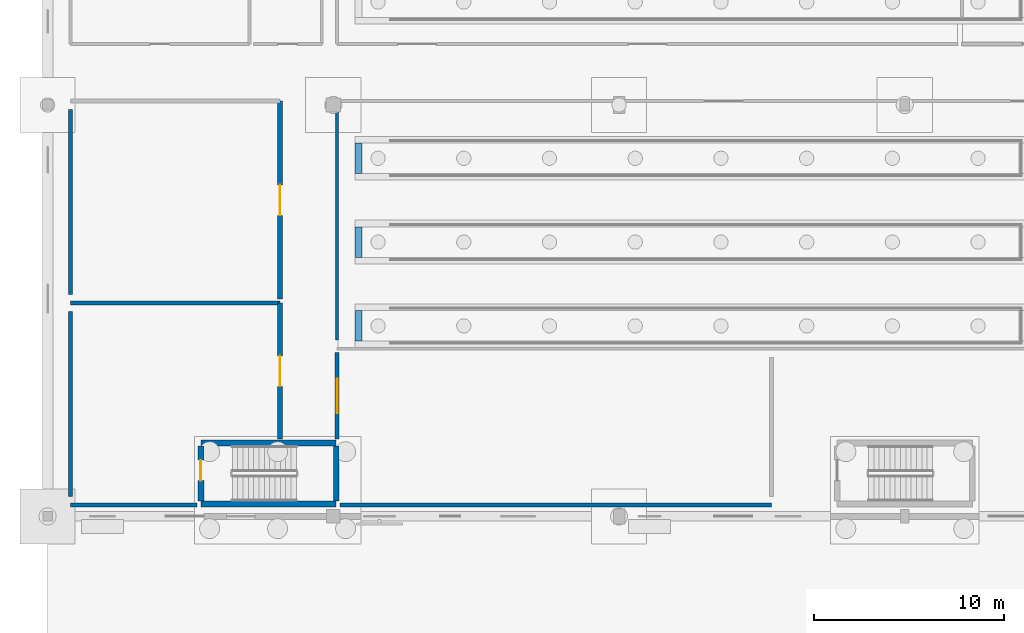
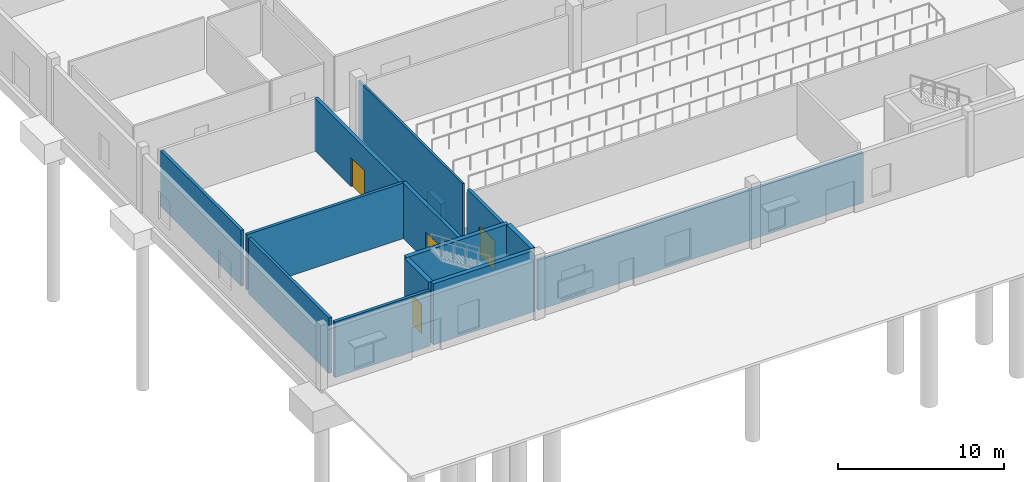
# One storey, part 247 of 285: 16 walls, 4 doors, 4 openings.
"""IFC4 building model written with IfcOpenShell, lengths in metres."""

import ifcopenshell
import ifcopenshell.guid

model = None  # the IFC model being written
_history = None  # IfcOwnerHistory: only IFC2X3 demands one
_inside = {}  # id of a spatial element -> (the spatial element, [elements in it])
_under = {}  # id of a project, library or spatial element -> (it, [spatial elements below it])
_declared = {}  # id of a project -> (the project, [libraries it declares])
_typed = {}  # id of a type object -> (the type object, [elements of that type])
_made_of = {}  # id of a material, layer set ... -> (it, [elements and type objects made of it])


def new_model(schema):
    """Start an empty IFC model of exactly this schema.

    Asked for "IFC4X3", IfcOpenShell would pick the latest addendum, in which some entities
    have other attributes; the version numbers below select the first issue.
    IFC2X3 requires an IfcOwnerHistory on every rooted entity: one is made here for all.
    """
    global model, _history
    if schema == "IFC4X3":
        model = ifcopenshell.file(schema_version=(4, 3, 0, 0))
    else:
        model = ifcopenshell.file(schema=schema)
    _inside.clear()
    _under.clear()
    _declared.clear()
    _typed.clear()
    _made_of.clear()
    _history = None
    if model.schema == "IFC2X3":
        org = make("IfcOrganization", Name="unknown")
        user = make(
            "IfcPersonAndOrganization",
            ThePerson=make("IfcPerson", FamilyName="unknown"),
            TheOrganization=org,
        )
        app = make(
            "IfcApplication",
            ApplicationDeveloper=org,
            Version="unknown",
            ApplicationFullName="unknown",
            ApplicationIdentifier="unknown",
        )
        _history = make(
            "IfcOwnerHistory",
            OwningUser=user,
            OwningApplication=app,
            ChangeAction="ADDED",
            CreationDate=0,
        )
    return model


def make(cls, **values):
    """One entity of the class cls with the attributes given. An attribute that is None is left unset."""
    return model.create_entity(
        cls, **{name: value for name, value in values.items() if value is not None}
    )


def rooted(cls, **values):
    """An entity with a GlobalId (a new one), such as an element, a storey or a relation."""
    return make(cls, GlobalId=ifcopenshell.guid.new(), OwnerHistory=_history, **values)


def si_unit(unit_type, name, prefix=None):
    """IfcSIUnit, for example si_unit("LENGTHUNIT", "METRE", prefix="MILLI")."""
    return make("IfcSIUnit", UnitType=unit_type, Prefix=prefix, Name=name)


def assignment(units):
    """IfcUnitAssignment: the units of a project."""
    return None if units is None else make("IfcUnitAssignment", Units=units)


def point(xyz):
    """IfcCartesianPoint."""
    return None if xyz is None else make("IfcCartesianPoint", Coordinates=xyz)


def direction(xyz):
    """IfcDirection."""
    return None if xyz is None else make("IfcDirection", DirectionRatios=xyz)


def frame(location, z_axis=None, x_axis=None):
    """IfcAxis2Placement3D, a coordinate frame: its origin and axes. An axis left out is left unset."""
    return make(
        "IfcAxis2Placement3D",
        Location=point(location),
        Axis=direction(z_axis),
        RefDirection=direction(x_axis),
    )


def frame_2d(location, x_axis=None):
    """IfcAxis2Placement2D, a coordinate frame in the plane: its origin and x axis."""
    return make(
        "IfcAxis2Placement2D", Location=point(location), RefDirection=direction(x_axis)
    )


def origin():
    """The frame at (0, 0, 0) with its axes left unset."""
    return frame((0.0, 0.0, 0.0))


def place(relative_to, where):
    """IfcLocalPlacement: puts the frame where relative to a parent placement (None: the world)."""
    return make(
        "IfcLocalPlacement", PlacementRelTo=relative_to, RelativePlacement=where
    )


def context(
    kind, dimensions, precision=None, world=None, true_north=None, identifier=None
):
    """IfcGeometricRepresentationContext, for example the 3D "Model" context."""
    return make(
        "IfcGeometricRepresentationContext",
        ContextIdentifier=identifier,
        ContextType=kind,
        CoordinateSpaceDimension=dimensions,
        Precision=precision,
        WorldCoordinateSystem=world,
        TrueNorth=true_north,
    )


def subcontext(parent, identifier, kind, view, scale=None):
    """IfcGeometricRepresentationSubContext, for example "Body" below "Model"."""
    return make(
        "IfcGeometricRepresentationSubContext",
        ContextIdentifier=identifier,
        ContextType=kind,
        ParentContext=parent,
        TargetScale=scale,
        TargetView=view,
    )


def project(units=None, contexts=None):
    """IfcProject with its units and contexts."""
    return rooted(
        "IfcProject",
        Name="project",
        RepresentationContexts=contexts,
        UnitsInContext=assignment(units),
    )


def spatial(cls, under=None, at=None, **own):
    """A site, building, storey or space (cls), placed at a placement, below another one or the project."""
    s = rooted(cls, ObjectPlacement=at, **own)
    if under is not None:
        _under.setdefault(under.id(), (under, []))[1].append(s)
    return s


def profile(cls, at=None, kind="AREA", **sizes):
    """A parametric profile (cls). Its sizes go by their IFC names, for example OverallWidth=200.0."""
    return make(cls, ProfileType=kind, Position=at, **sizes)


def rectangle(**sizes):
    """IfcRectangleProfileDef."""
    return profile("IfcRectangleProfileDef", **sizes)


def extrude(swept, where, along, depth):
    """IfcExtrudedAreaSolid: the profile swept, set in the frame where, extruded along a direction by depth."""
    return make(
        "IfcExtrudedAreaSolid",
        SweptArea=swept,
        Position=where,
        ExtrudedDirection=direction(along),
        Depth=depth,
    )


def shape(context_of_items, identifier, shape_type, items):
    """IfcShapeRepresentation: the items that make up one representation, for example the "Body"."""
    return make(
        "IfcShapeRepresentation",
        ContextOfItems=context_of_items,
        RepresentationIdentifier=identifier,
        RepresentationType=shape_type,
        Items=items,
    )


def material(Name=None, Category=None):
    """IfcMaterial."""
    return make("IfcMaterial", Name=Name, Category=Category)


def layer(
    of_material, thickness, ventilated=None, Name=None, Category=None, Priority=None
):
    """IfcMaterialLayer: one layer of a wall or slab, of a material (None: an air gap)."""
    return make(
        "IfcMaterialLayer",
        Material=of_material,
        LayerThickness=thickness,
        IsVentilated=ventilated,
        Name=Name,
        Category=Category,
        Priority=Priority,
    )


def layer_set(layers, Name=None):
    """IfcMaterialLayerSet."""
    return make("IfcMaterialLayerSet", MaterialLayers=layers, LayerSetName=Name)


def made_of(thing, what):
    """Note that an element or type object is made of a material, layer set ...; save() writes the relation."""
    if what is not None:
        _made_of.setdefault(what.id(), (what, []))[1].append(thing)
    return thing


def type_object(cls, material=None, **own):
    """A type object (cls), such as IfcWallType, which elements share."""
    return made_of(rooted(cls, **own), material)


def element(
    cls,
    number,
    at=None,
    inside=None,
    cuts=None,
    type_object=None,
    material=None,
    context=None,
    identifier="Body",
    shape_type=None,
    held_by="IfcProductDefinitionShape",
    body=None,
    shapes=None,
    **own,
):
    """One element of the class cls, such as IfcWall. Its Tag is "e" and its number.

    at: its placement. inside: the storey or other place that contains it. cuts: it is an
    opening in that element (IfcRelVoidsElement). A single representation is given by context,
    identifier, shape_type and body (its items); several are given by shapes. held_by: the class
    of the entity that holds the representations. save() writes the other relations.
    """
    e = rooted(cls, Tag="e%d" % number, ObjectPlacement=at, **own)
    if body is not None:
        shapes = [shape(context, identifier, shape_type, body)]
    if shapes is not None:
        e.Representation = make(held_by, Representations=shapes)
    if inside is not None:
        _inside.setdefault(inside.id(), (inside, []))[1].append(e)
    if cuts is not None:
        rooted(
            "IfcRelVoidsElement", RelatingBuildingElement=cuts, RelatedOpeningElement=e
        )
    if type_object is not None:
        _typed.setdefault(type_object.id(), (type_object, []))[1].append(e)
    return made_of(e, material)


def fill(opening, filler):
    """IfcRelFillsElement: the door or window that sits in an opening."""
    return rooted(
        "IfcRelFillsElement",
        RelatingOpeningElement=opening,
        RelatedBuildingElement=filler,
    )


def aggregate(whole, parts):
    """IfcRelAggregates: a whole, such as a stair, and the parts it consists of."""
    return rooted("IfcRelAggregates", RelatingObject=whole, RelatedObjects=parts)


def save(model, path):
    """Write the relations noted so far, then the file.

    IfcRelAggregates (storeys below a building ...), IfcRelContainedInSpatialStructure (elements
    in a storey), IfcRelDefinesByType, IfcRelAssociatesMaterial and IfcRelDeclares: one each for
    every whole, place, type object, material and project.
    """
    for whole, parts in _under.values():
        aggregate(whole, parts)
    for where, things in _inside.values():
        rooted(
            "IfcRelContainedInSpatialStructure",
            RelatedElements=things,
            RelatingStructure=where,
        )
    for kind, things in _typed.values():
        rooted("IfcRelDefinesByType", RelatedObjects=things, RelatingType=kind)
    for what, things in _made_of.values():
        rooted("IfcRelAssociatesMaterial", RelatedObjects=things, RelatingMaterial=what)
    for by, libraries in _declared.values():
        rooted("IfcRelDeclares", RelatingContext=by, RelatedDefinitions=libraries)
    model.write(path)


model = new_model("IFC4")

# Units and contexts
model_context = context("Model", 3, precision=1e-05, world=origin(), true_north=direction((0.0, 1.0)))
body_context = subcontext(model_context, "Body", "Model", "MODEL_VIEW")
ifc_project = project(units=[si_unit("LENGTHUNIT", "METRE"), si_unit("AREAUNIT", "SQUARE_METRE"), si_unit("VOLUMEUNIT", "CUBIC_METRE"), si_unit("PLANEANGLEUNIT", "RADIAN"), si_unit("MASSUNIT", "GRAM", prefix="KILO")], contexts=[model_context])

# Site, building, storey
site_placement = place(None, origin())
site = spatial("IfcSite", under=ifc_project, at=site_placement, CompositionType="ELEMENT")
building_placement = place(site_placement, origin())
building = spatial("IfcBuilding", under=site, at=building_placement, Name="Solanera Park Tramway Depot", CompositionType="ELEMENT")
storey_placement = place(building_placement, origin())
storey = spatial("IfcBuildingStorey", under=building, at=storey_placement, Name="L00", CompositionType="ELEMENT", Elevation=0.0)

# Walls
ifc_material_1 = material(Name="Concrete N32 (C32/40)", Category="concrete")
ifc_layer_1 = layer(ifc_material_1, 0.14990234375)
ifc_layer_set_1 = layer_set([ifc_layer_1], Name="Concrete N32 (C32/40)")
wall_type_1 = type_object("IfcWallType", Name="Acoustic Partition 150", PredefinedType="PARTITIONING", material=ifc_layer_set_1)
wall_1_placement = place(storey_placement, frame((15.199951171875, 32.60009765625, 0.0), z_axis=(0.0, 0.0, 1.0), x_axis=(0.0, -1.0, 0.0)))
element("IfcWall", 1, at=wall_1_placement, inside=storey, type_object=wall_type_1, Name="Bogie Overhaul and Lifting Jack Hall Dividing Wall", PredefinedType="PARTITIONING", context=body_context, shape_type="SweptSolid", body=[
    extrude(rectangle(XDim=12.550048828125, YDim=0.14990234375, at=frame_2d((6.27490234375, 0.0))), origin(), (0.0, 0.0, 1.0), 4.10009765625),
])
ifc_material_2 = material(Name="Concrete N40 (C40/50)", Category="concrete")
ifc_layer_2 = layer(ifc_material_2, 0.300048828125)
ifc_layer_set_2 = layer_set([ifc_layer_2], Name="Concrete N40 (C40/50)")
wall_type_2 = type_object("IfcWallType", Name="Core Shear Wall 300", PredefinedType="SHEAR", material=ifc_layer_set_2)
for number, where, z_axis, x_axis, name in (
    (2, (8.050048828125, 11.449951171875, 0.0), (0.0, 0.0, 1.0), (1.0, 0.0, 0.0), "ST-08 L00 Shear Core Wall S"),
    (3, (15.14990234375, 14.64990234375, 0.0), (0.0, 0.0, 1.0), (-1.0, 0.0, 0.0), "ST-08 L00 Shear Core Wall N"),
):
    element("IfcWall", number, at=place(storey_placement, frame(where, z_axis=z_axis, x_axis=x_axis)), inside=storey, type_object=wall_type_2, Name=name, PredefinedType="SHEAR", context=body_context, shape_type="SweptSolid", body=[
        extrude(rectangle(XDim=7.099853515625, YDim=0.300048828125, at=frame_2d((3.5498046875, 0.0))), origin(), (0.0, 0.0, 1.0), 4.5),
    ])
wall_2_placement = place(storey_placement, frame((15.14990234375, 11.60009765625, 0.0), z_axis=(0.0, 0.0, 1.0), x_axis=(0.0, 1.0, 0.0)))
element("IfcWall", 4, at=wall_2_placement, inside=storey, type_object=wall_type_2, Name="ST-08 L00 Shear Core Wall E", PredefinedType="SHEAR", context=body_context, shape_type="SweptSolid", body=[
    extrude(rectangle(XDim=2.89990234375, YDim=0.300048828125, at=frame_2d((1.449951171875, 0.0))), origin(), (0.0, 0.0, 1.0), 4.5),
])

# Wall, opening, door
wall_3_placement = place(storey_placement, frame((8.050048828125, 14.5, 0.0), z_axis=(0.0, 0.0, 1.0), x_axis=(0.0, -1.0, 0.0)))
wall_3 = element("IfcWall", 5, at=wall_3_placement, inside=storey, type_object=wall_type_2, Name="ST-08 L00 Shear Core Wall W", PredefinedType="SHEAR", context=body_context, shape_type="SweptSolid", body=[
    extrude(rectangle(XDim=2.89990234375, YDim=0.300048828125, at=frame_2d((1.449951171875, 0.0))), origin(), (0.0, 0.0, 1.0), 4.5),
])
opening_1_placement = place(wall_3_placement, frame((0.75, 0.0, 0.0)))
opening_1 = element("IfcOpeningElement", 6, at=opening_1_placement, cuts=wall_3, Name="Opening FD-S1R", PredefinedType="OPENING", context=body_context, shape_type="SweptSolid", body=[
    extrude(rectangle(XDim=1.070068359375, YDim=2.14990234375, at=frame_2d((0.53515625, 1.074951171875))), frame((0.0, 0.16015625, 0.0), z_axis=(0.0, -1.0, 0.0), x_axis=(1.0, 0.0, 0.0)), (0.0, 0.0, 1.0), 0.320068359375),
])
ifc_material_3 = material(Name="Fire-rated steel or solid-core hardwood door leaf", Category="steel")
door_type_1 = type_object("IfcDoorType", Name="Stair Fire Door R 1070x2150", OperationType="SINGLE_SWING_RIGHT", PredefinedType="DOOR", material=ifc_material_3)
door_1_placement = place(opening_1_placement, frame((1.070068359375, 0.0, 0.0), z_axis=(0.0, 0.0, 1.0), x_axis=(-1.0, 0.0, 0.0)))
door_1 = element("IfcDoor", 7, at=door_1_placement, inside=storey, type_object=door_type_1, Name="ST-08 L00 Stair Fire Door", OperationType="SINGLE_SWING_RIGHT", OverallHeight=2.14990234375, OverallWidth=1.070068359375, PredefinedType="DOOR", context=body_context, shape_type="SweptSolid", body=[
    extrude(rectangle(XDim=1.070068359375, YDim=2.14990234375, at=frame_2d((0.53515625, 1.074951171875))), frame((0.0, 0.02490234375, 0.0), z_axis=(0.0, -1.0, 0.0), x_axis=(1.0, 0.0, 0.0)), (0.0, 0.0, 1.0), 0.050048828125),
])
fill(opening_1, door_1)

# Walls
ifc_material_4 = material(Name="Concrete N32 (C32/40)", Category="concrete")
ifc_layer_3 = layer(ifc_material_4, 0.199951171875)
ifc_layer_set_3 = layer_set([ifc_layer_3], Name="Concrete N32 (C32/40)")
wall_type_3 = type_object("IfcWallType", Name="Fire Compartment Wall 200", PredefinedType="SOLIDWALL", material=ifc_layer_set_3)
wall_4_placement = place(storey_placement, frame((1.199951171875, 22.0, 0.0), z_axis=(0.0, 0.0, 1.0), x_axis=(1.0, 0.0, 0.0)))
element("IfcWall", 8, at=wall_4_placement, inside=storey, type_object=wall_type_3, Name="Heavy Parts and Bogie Component Store Dividing Wall", PredefinedType="SOLIDWALL", context=body_context, shape_type="SweptSolid", body=[
    extrude(rectangle(XDim=11.0, YDim=0.199951171875, at=frame_2d((5.5, 0.0))), origin(), (0.0, 0.0, 1.0), 4.10009765625),
])
wall_5_placement = place(storey_placement, frame((7.85009765625, 11.39990234375, 0.0), z_axis=(0.0, 0.0, 1.0), x_axis=(-1.0, 0.0, 0.0)))
element("IfcWall", 9, at=wall_5_placement, inside=storey, type_object=wall_type_3, Name="Heavy Parts and Bogie Component Store Dividing Wall", PredefinedType="SOLIDWALL", context=body_context, shape_type="SweptSolid", body=[
    extrude(rectangle(XDim=6.650146484375, YDim=0.199951171875, at=frame_2d((3.3251953125, 0.0))), origin(), (0.0, 0.0, 1.0), 4.10009765625),
])
for number, where, z_axis, x_axis, name in (
    (10, (1.199951171875, 21.550048828125, 0.0), (0.0, 0.0, 1.0), (0.0, -1.0, 0.0), "Heavy Parts and Bogie Component Store Dividing Wall"),
    (11, (1.199951171875, 32.14990234375, 0.0), (0.0, 0.0, 1.0), (0.0, -1.0, 0.0), "Wheelset and Axle Quarantine Store Dividing Wall"),
):
    element("IfcWall", number, at=place(storey_placement, frame(where, z_axis=z_axis, x_axis=x_axis)), inside=storey, type_object=wall_type_3, Name=name, PredefinedType="SOLIDWALL", context=body_context, shape_type="SweptSolid", body=[
        extrude(rectangle(XDim=9.699951171875, YDim=0.199951171875, at=frame_2d((4.85009765625, 0.0))), origin(), (0.0, 0.0, 1.0), 4.10009765625),
    ])
wall_6_placement = place(storey_placement, frame((38.0, 11.39990234375, 0.0), z_axis=(0.0, 0.0, 1.0), x_axis=(-1.0, 0.0, 0.0)))
element("IfcWall", 12, at=wall_6_placement, inside=storey, type_object=wall_type_3, Name="Workshop Main Switchroom and Plant Dividing Wall", PredefinedType="SOLIDWALL", context=body_context, shape_type="SweptSolid", body=[
    extrude(rectangle(XDim=22.64990234375, YDim=0.199951171875, at=frame_2d((11.324951171875, 0.0))), origin(), (0.0, 0.0, 1.0), 3.681884765625),
])

# Wall, opening, door
wall_7_placement = place(storey_placement, frame((15.199951171875, 19.39990234375, 0.0), z_axis=(0.0, 0.0, 1.0), x_axis=(0.0, -1.0, 0.0)))
wall_7 = element("IfcWall", 13, at=wall_7_placement, inside=storey, type_object=wall_type_3, Name="Workshop Main Switchroom and Plant Corridor Wall", PredefinedType="SOLIDWALL", context=body_context, shape_type="SweptSolid", body=[
    extrude(rectangle(XDim=4.5498046875, YDim=0.199951171875, at=frame_2d((2.27490234375, 0.0))), origin(), (0.0, 0.0, 1.0), 4.10009765625),
])
opening_2_placement = place(wall_7_placement, frame((1.375, 0.0, 0.0)))
opening_2 = element("IfcOpeningElement", 14, at=opening_2_placement, cuts=wall_7, Name="Opening FD-P2D", PredefinedType="OPENING", context=body_context, shape_type="SweptSolid", body=[
    extrude(rectangle(XDim=1.800048828125, YDim=2.199951171875, at=frame_2d((0.89990234375, 1.10009765625))), frame((0.0, 0.10986328125, 0.0), z_axis=(0.0, -1.0, 0.0), x_axis=(1.0, 0.0, 0.0)), (0.0, 0.0, 1.0), 0.219970703125),
])
ifc_material_5 = material(Name="Fire-rated steel or solid-core hardwood door leaf", Category="steel")
door_type_2 = type_object("IfcDoorType", Name="Plant Double Fire Door 1800x2200", OperationType="DOUBLE_SWING_LEFT", PredefinedType="DOOR", material=ifc_material_5)
door_2_placement = place(opening_2_placement, origin())
door_2 = element("IfcDoor", 15, at=door_2_placement, inside=storey, type_object=door_type_2, Name="Workshop Main Switchroom and Plant Door", OperationType="DOUBLE_SWING_LEFT", OverallHeight=2.199951171875, OverallWidth=1.800048828125, PredefinedType="DOOR", context=body_context, shape_type="SweptSolid", body=[
    extrude(rectangle(XDim=1.800048828125, YDim=2.199951171875, at=frame_2d((0.89990234375, 1.10009765625))), frame((0.0, 0.02490234375, 0.0), z_axis=(0.0, -1.0, 0.0), x_axis=(1.0, 0.0, 0.0)), (0.0, 0.0, 1.0), 0.050048828125),
])
fill(opening_2, door_2)

ifc_material_6 = material(Name="Concrete N32 (C32/40)", Category="concrete")
ifc_layer_4 = layer(ifc_material_6, 0.239990234375)
ifc_layer_set_4 = layer_set([ifc_layer_4], Name="Concrete N32 (C32/40)")
wall_type_4 = type_object("IfcWallType", Name="Inter-Class Fire Wall 240", PredefinedType="SOLIDWALL", material=ifc_layer_set_4)
wall_8_placement = place(storey_placement, frame((12.199951171875, 14.85009765625, 0.0), z_axis=(0.0, 0.0, 1.0), x_axis=(0.0, 1.0, 0.0)))
wall_8 = element("IfcWall", 16, at=wall_8_placement, inside=storey, type_object=wall_type_4, Name="Heavy Parts and Bogie Component Store Corridor Wall", PredefinedType="SOLIDWALL", context=body_context, shape_type="SweptSolid", body=[
    extrude(rectangle(XDim=7.14990234375, YDim=0.239990234375, at=frame_2d((3.574951171875, 0.0))), origin(), (0.0, 0.0, 1.0), 4.10009765625),
])
opening_3_placement = place(wall_8_placement, frame((2.77490234375, 0.0, 0.0)))
opening_3 = element("IfcOpeningElement", 17, at=opening_3_placement, cuts=wall_8, Name="Opening FD-K2D", PredefinedType="OPENING", context=body_context, shape_type="SweptSolid", body=[
    extrude(rectangle(XDim=1.60009765625, YDim=2.14990234375, at=frame_2d((0.800048828125, 1.074951171875))), frame((0.0, 0.1298828125, 0.0), z_axis=(0.0, -1.0, 0.0), x_axis=(1.0, 0.0, 0.0)), (0.0, 0.0, 1.0), 0.260009765625),
])
ifc_material_7 = material(Name="Fire-rated steel or solid-core hardwood door leaf", Category="steel")
door_type_3 = type_object("IfcDoorType", Name="Store Double Fire Door 1600x2150", OperationType="DOUBLE_SWING_RIGHT", PredefinedType="DOOR", material=ifc_material_7)
door_3_placement = place(opening_3_placement, origin())
door_3 = element("IfcDoor", 18, at=door_3_placement, inside=storey, type_object=door_type_3, Name="Heavy Parts and Bogie Component Store Door", OperationType="DOUBLE_SWING_RIGHT", OverallHeight=2.14990234375, OverallWidth=1.60009765625, PredefinedType="DOOR", context=body_context, shape_type="SweptSolid", body=[
    extrude(rectangle(XDim=1.60009765625, YDim=2.14990234375, at=frame_2d((0.800048828125, 1.074951171875))), frame((0.0, 0.02490234375, 0.0), z_axis=(0.0, -1.0, 0.0), x_axis=(1.0, 0.0, 0.0)), (0.0, 0.0, 1.0), 0.050048828125),
])
fill(opening_3, door_3)

wall_9_placement = place(storey_placement, frame((12.199951171875, 22.199951171875, 0.0), z_axis=(0.0, 0.0, 1.0), x_axis=(0.0, 1.0, 0.0)))
wall_9 = element("IfcWall", 19, at=wall_9_placement, inside=storey, type_object=wall_type_4, Name="Wheelset and Axle Quarantine Store Corridor Wall", PredefinedType="SOLIDWALL", context=body_context, shape_type="SweptSolid", body=[
    extrude(rectangle(XDim=10.400146484375, YDim=0.239990234375, at=frame_2d((5.2001953125, 0.0))), origin(), (0.0, 0.0, 1.0), 3.870361328125),
])
opening_4_placement = place(wall_9_placement, frame((4.39990234375, 0.0, 0.0)))
opening_4 = element("IfcOpeningElement", 20, at=opening_4_placement, cuts=wall_9, Name="Opening FD-K2D", PredefinedType="OPENING", context=body_context, shape_type="SweptSolid", body=[
    extrude(rectangle(XDim=1.60009765625, YDim=2.14990234375, at=frame_2d((0.800048828125, 1.074951171875))), frame((0.0, 0.1298828125, 0.0), z_axis=(0.0, -1.0, 0.0), x_axis=(1.0, 0.0, 0.0)), (0.0, 0.0, 1.0), 0.260009765625),
])
door_4_placement = place(opening_4_placement, origin())
door_4 = element("IfcDoor", 21, at=door_4_placement, inside=storey, type_object=door_type_3, Name="Wheelset and Axle Quarantine Store Door", OperationType="DOUBLE_SWING_RIGHT", OverallHeight=2.14990234375, OverallWidth=1.60009765625, PredefinedType="DOOR", context=body_context, shape_type="SweptSolid", body=[
    extrude(rectangle(XDim=1.60009765625, YDim=2.14990234375, at=frame_2d((0.800048828125, 1.074951171875))), frame((0.0, 0.02490234375, 0.0), z_axis=(0.0, -1.0, 0.0), x_axis=(1.0, 0.0, 0.0)), (0.0, 0.0, 1.0), 0.050048828125),
])
fill(opening_4, door_4)

# Walls
ifc_material_8 = material(Name="Concrete N40 (C40/50)", Category="concrete")
ifc_layer_5 = layer(ifc_material_8, 0.35009765625)
ifc_layer_set_5 = layer_set([ifc_layer_5], Name="Concrete N40 (C40/50)")
wall_type_5 = type_object("IfcWallType", Name="Pit Retaining Wall 350", PredefinedType="USERDEFINED", material=ifc_layer_set_5)
for number, where, z_axis, x_axis, name in (
    (22, (16.324951171875, 20.0, -1.64990234375), (0.0, 0.0, 1.0), (0.0, 1.0, 0.0), "Pit Retaining Wall PIT-01 W"),
    (23, (16.324951171875, 24.39990234375, -1.64990234375), (0.0, 0.0, 1.0), (0.0, 1.0, 0.0), "Pit Retaining Wall PIT-02 W"),
):
    element("IfcWall", number, at=place(storey_placement, frame(where, z_axis=z_axis, x_axis=x_axis)), inside=storey, type_object=wall_type_5, Name=name, ObjectType="RETAINING WALL", PredefinedType="USERDEFINED", context=body_context, shape_type="SweptSolid", body=[
        extrude(rectangle(XDim=1.60009765625, YDim=0.35009765625, at=frame_2d((0.800048828125, 0.0))), origin(), (0.0, 0.0, 1.0), 1.224853515625),
    ])
wall_10_placement = place(storey_placement, frame((16.324951171875, 28.800048828125, -1.64990234375), z_axis=(0.0, 0.0, 1.0), x_axis=(0.0, 1.0, 0.0)))
element("IfcWall", 24, at=wall_10_placement, inside=storey, type_object=wall_type_5, Name="Pit Retaining Wall PIT-03 W", ObjectType="RETAINING WALL", PredefinedType="USERDEFINED", context=body_context, shape_type="SweptSolid", body=[
    extrude(rectangle(XDim=1.599853515625, YDim=0.35009765625, at=frame_2d((0.7998046875, 0.0))), origin(), (0.0, 0.0, 1.0), 1.224853515625),
])

save(model, "model.ifc")
